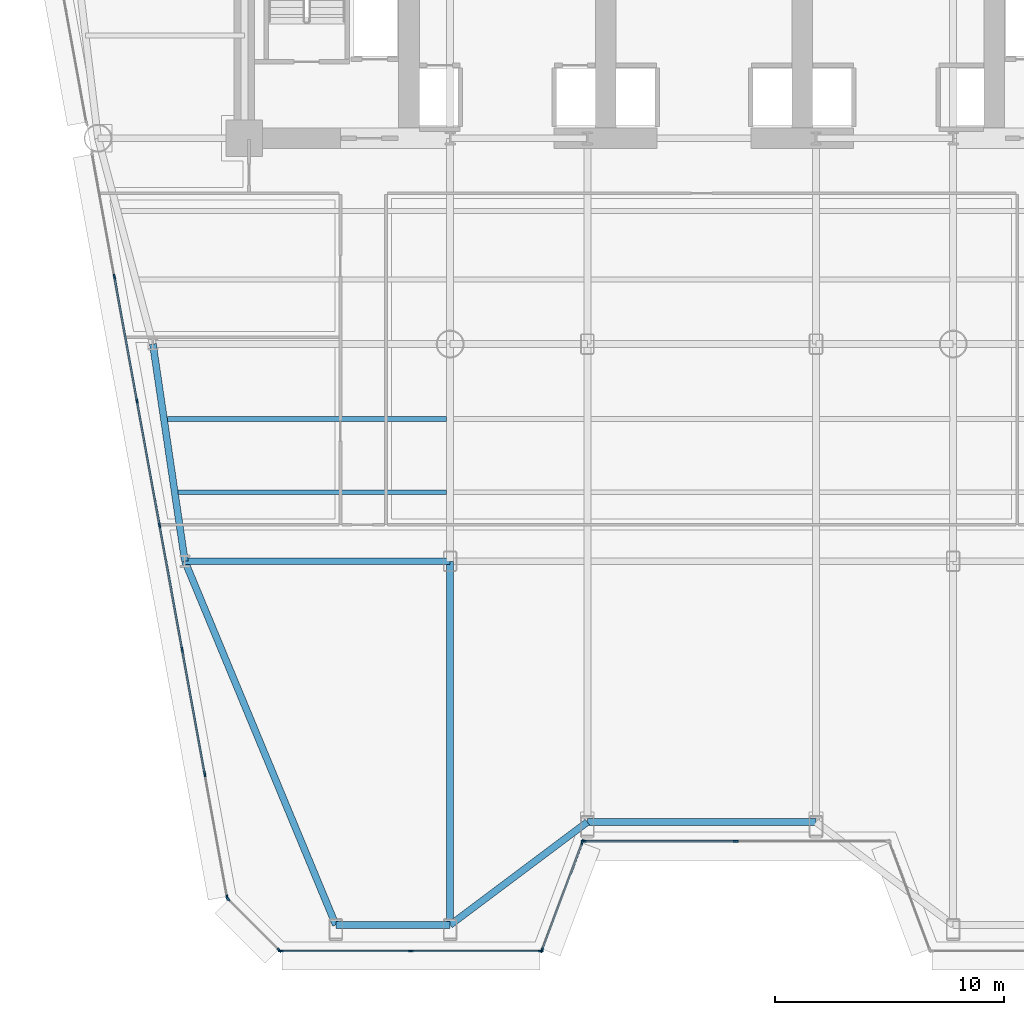
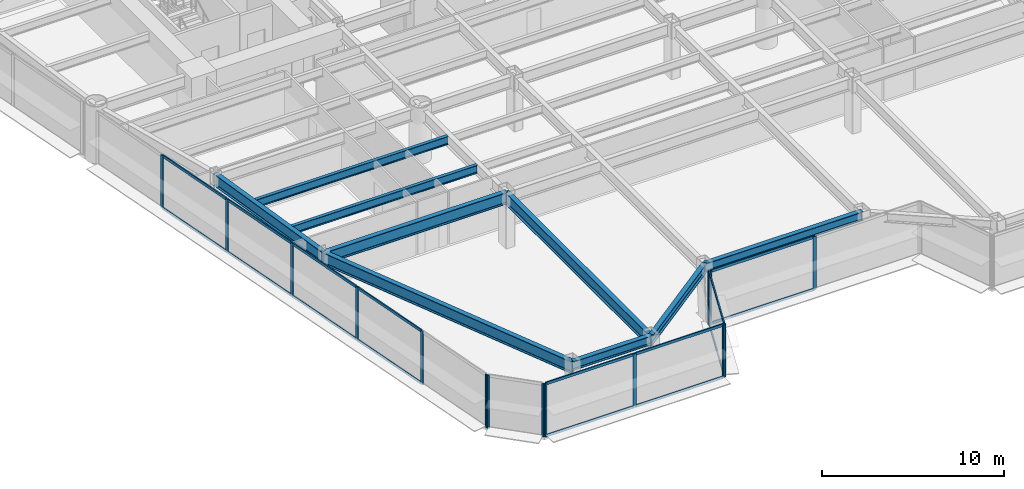
# One storey, part 2 of 14: 31 members, 9 beams, 5 elements without a shape of their own.
"""IFC4 building model written with IfcOpenShell, lengths in metres."""

from ifc_helpers import new_model, si_unit, direction, frame, origin, origin_2d, place, context, subcontext, project, spatial, rectangle, i_section, extrude, source, transform, mapped, material, layer, layer_set, material_profile, profile_set, type_object, element, aggregate, save


model = new_model("IFC4")

# Units and contexts
model_context = context("Model", 3, precision=1e-05, world=origin(), true_north=direction((0.0, 1.0)))
body_context = subcontext(model_context, "Body", "Model", "MODEL_VIEW")
ifc_project = project(units=[si_unit("LENGTHUNIT", "METRE"), si_unit("AREAUNIT", "SQUARE_METRE"), si_unit("VOLUMEUNIT", "CUBIC_METRE"), si_unit("PLANEANGLEUNIT", "RADIAN"), si_unit("MASSUNIT", "GRAM", prefix="KILO")], contexts=[model_context])

# Site, building, storey
site_placement = place(None, origin())
site = spatial("IfcSite", under=ifc_project, at=site_placement, CompositionType="ELEMENT")
building_placement = place(site_placement, origin())
building = spatial("IfcBuilding", under=site, at=building_placement, Name="Vaeldorn Concourse Tower", CompositionType="ELEMENT")
storey_placement = place(building_placement, frame((0.0, 0.0, 34.0)))
storey = spatial("IfcBuildingStorey", under=building, at=storey_placement, Name="L08", CompositionType="ELEMENT", Elevation=34.0)

# Beams
ifc_material_1 = material(Name="Steel S355", Category="steel")
ifc_material_profile_1 = material_profile(ifc_material_1, i_section(OverallWidth=0.300048828125, OverallDepth=0.60009765625, WebThickness=0.015380859375, FlangeThickness=0.030029296875, FilletRadius=0.027099609375, at=origin_2d()), Name="HEB 600")
ifc_profile_set_1 = profile_set([ifc_material_profile_1], Name="Steel S355")
beam_type_1 = type_object("IfcBeamType", Name="BM-SP-HEB600", PredefinedType="SPANDREL", material=ifc_profile_set_1)
shared_shape_1 = source(origin(), body_context, "Body", "SweptSolid", [
    extrude(i_section(OverallWidth=0.300048828125, OverallDepth=0.60009765625, WebThickness=0.015380859375, FlangeThickness=0.030029296875, FilletRadius=0.027099609375, at=origin_2d()), origin(), (0.0, 0.0, 1.0), 5.0),
])
beam_1_placement = place(storey_placement, frame((18.0, 2.095458984375, 3.280029296875), z_axis=(1.0, 0.0, 0.0), x_axis=(0.0, 1.0, 0.0)))
element("IfcBeam", 1, at=beam_1_placement, inside=storey, type_object=beam_type_1, Name="Beam BM-L08-C-SF1-C-SF2", PredefinedType="SPANDREL", context=body_context, shape_type="MappedRepresentation", body=[
    mapped(shared_shape_1, transform((0.0, 0.0, 0.0), scale=1.0)),
])
shared_shape_2 = source(origin(), body_context, "Body", "SweptSolid", [
    extrude(i_section(OverallWidth=0.300048828125, OverallDepth=0.60009765625, WebThickness=0.015380859375, FlangeThickness=0.030029296875, FilletRadius=0.027099609375, at=origin_2d()), origin(), (0.0, 0.0, 1.0), 7.5),
])
beam_2_placement = place(storey_placement, frame((23.0, 2.095458984375, 3.280029296875), z_axis=(0.8, 0.6, 0.0), x_axis=(-0.6, 0.8, 0.0)))
element("IfcBeam", 2, at=beam_2_placement, inside=storey, type_object=beam_type_1, Name="Beam BM-L08-C-SF2-C-SF3", PredefinedType="SPANDREL", context=body_context, shape_type="MappedRepresentation", body=[
    mapped(shared_shape_2, transform((0.0, 0.0, 0.0), scale=1.0)),
])
shared_shape_3 = source(origin(), body_context, "Body", "SweptSolid", [
    extrude(i_section(OverallWidth=0.300048828125, OverallDepth=0.60009765625, WebThickness=0.015380859375, FlangeThickness=0.030029296875, FilletRadius=0.027099609375, at=origin_2d()), origin(), (0.0, 0.0, 1.0), 10.0),
])
beam_3_placement = place(storey_placement, frame((29.0, 6.595458984375, 3.280029296875), z_axis=(1.0, 0.0, 0.0), x_axis=(0.0, 1.0, 0.0)))
element("IfcBeam", 3, at=beam_3_placement, inside=storey, type_object=beam_type_1, Name="Beam BM-L08-C-SF3-C-SF4", PredefinedType="SPANDREL", context=body_context, shape_type="MappedRepresentation", body=[
    mapped(shared_shape_3, transform((0.0, 0.0, 0.0), scale=1.0)),
])
ifc_material_profile_2 = material_profile(ifc_material_1, i_section(OverallWidth=0.300048828125, OverallDepth=0.800048828125, WebThickness=0.017578125, FlangeThickness=0.032958984375, FilletRadius=0.030029296875, at=origin_2d()), Name="HEB 800")
ifc_profile_set_2 = profile_set([ifc_material_profile_2], Name="Steel S355")
beam_type_2 = type_object("IfcBeamType", Name="BM-PG-HEB800", PredefinedType="BEAM", material=ifc_profile_set_2)
shared_shape_4 = source(origin(), body_context, "Body", "SweptSolid", [
    extrude(i_section(OverallWidth=0.300048828125, OverallDepth=0.800048828125, WebThickness=0.017578125, FlangeThickness=0.032958984375, FilletRadius=0.030029296875, at=origin_2d()), origin(), (0.0, 0.0, 1.0), 9.6025390625),
])
beam_4_placement = place(storey_placement, frame((10.0, 27.5, 3.179931640625), z_axis=(0.145783835977, -0.989316467652, 0.0), x_axis=(0.989316467652, 0.145783835977, 0.0)))
element("IfcBeam", 4, at=beam_4_placement, inside=storey, type_object=beam_type_2, Name="Beam BM-L08-C-FLW1-C-FLW2", PredefinedType="BEAM", context=body_context, shape_type="MappedRepresentation", body=[
    mapped(shared_shape_4, transform((0.0, 0.0, 0.0), scale=1.0)),
])
shared_shape_5 = source(origin(), body_context, "Body", "SweptSolid", [
    extrude(i_section(OverallWidth=0.300048828125, OverallDepth=0.800048828125, WebThickness=0.017578125, FlangeThickness=0.032958984375, FilletRadius=0.030029296875, at=origin_2d()), origin(), (0.0, 0.0, 1.0), 11.60009765625),
])
beam_5_placement = place(storey_placement, frame((11.39990234375, 18.0, 3.179931640625), z_axis=(1.0, 0.0, 0.0), x_axis=(0.0, 1.0, 0.0)))
element("IfcBeam", 5, at=beam_5_placement, inside=storey, type_object=beam_type_2, Name="Beam BM-L08-C-FLW2-C-TW5", PredefinedType="BEAM", context=body_context, shape_type="MappedRepresentation", body=[
    mapped(shared_shape_5, transform((0.0, 0.0, 0.0), scale=1.0)),
])
shared_shape_6 = source(origin(), body_context, "Body", "SweptSolid", [
    extrude(i_section(OverallWidth=0.300048828125, OverallDepth=0.800048828125, WebThickness=0.017578125, FlangeThickness=0.032958984375, FilletRadius=0.030029296875, at=origin_2d()), origin(), (0.0, 0.0, 1.0), 17.2197265625),
])
beam_6_placement = place(storey_placement, frame((18.0, 2.095458984375, 3.179931640625), z_axis=(-0.3832891314, 0.923628411078, 0.0), x_axis=(-0.923628411078, -0.3832891314, 0.0)))
element("IfcBeam", 6, at=beam_6_placement, inside=storey, type_object=beam_type_2, Name="Beam BM-L08-C-SF1-C-FLW2", PredefinedType="BEAM", context=body_context, shape_type="MappedRepresentation", body=[
    mapped(shared_shape_6, transform((0.0, 0.0, 0.0), scale=1.0)),
])
shared_shape_7 = source(origin(), body_context, "Body", "SweptSolid", [
    extrude(i_section(OverallWidth=0.300048828125, OverallDepth=0.800048828125, WebThickness=0.017578125, FlangeThickness=0.032958984375, FilletRadius=0.030029296875, at=origin_2d()), origin(), (0.0, 0.0, 1.0), 15.904541015625),
])
beam_7_placement = place(storey_placement, frame((23.0, 2.095458984375, 3.179931640625), z_axis=(0.0, 1.0, 0.0), x_axis=(-1.0, 0.0, 0.0)))
element("IfcBeam", 7, at=beam_7_placement, inside=storey, type_object=beam_type_2, Name="Beam BM-L08-C-SF2-C-TW5", PredefinedType="BEAM", context=body_context, shape_type="MappedRepresentation", body=[
    mapped(shared_shape_7, transform((0.0, 0.0, 0.0), scale=1.0)),
])
ifc_material_profile_3 = material_profile(ifc_material_1, i_section(OverallWidth=0.2099609375, OverallDepth=0.550048828125, WebThickness=0.010986328125, FlangeThickness=0.01708984375, FilletRadius=0.02392578125, at=origin_2d()), Name="IPE 550")
ifc_profile_set_3 = profile_set([ifc_material_profile_3], Name="Steel S355")
beam_type_3 = type_object("IfcBeamType", Name="BM-JS-IPE550", PredefinedType="JOIST", material=ifc_profile_set_3)
shared_shape_8 = source(origin(), body_context, "Body", "SweptSolid", [
    extrude(i_section(OverallWidth=0.2099609375, OverallDepth=0.550048828125, WebThickness=0.010986328125, FlangeThickness=0.01708984375, FilletRadius=0.02392578125, at=origin_2d()), origin(), (0.0, 0.0, 1.0), 11.7451171875),
])
beam_8_placement = place(storey_placement, frame((11.10498046875, 21.02001953125, 3.304931640625), z_axis=(1.0, 0.0, 0.0), x_axis=(0.0, 1.0, 0.0)))
element("IfcBeam", 8, at=beam_8_placement, inside=storey, type_object=beam_type_3, Name="Beam JS-L08-W1-210", PredefinedType="JOIST", context=body_context, shape_type="MappedRepresentation", body=[
    mapped(shared_shape_8, transform((0.0, 0.0, 0.0), scale=1.0)),
])
shared_shape_9 = source(origin(), body_context, "Body", "SweptSolid", [
    extrude(i_section(OverallWidth=0.2099609375, OverallDepth=0.550048828125, WebThickness=0.010986328125, FlangeThickness=0.01708984375, FilletRadius=0.02392578125, at=origin_2d()), origin(), (0.0, 0.0, 1.0), 12.216796875),
])
beam_9_placement = place(storey_placement, frame((10.63330078125, 24.219970703125, 3.304931640625), z_axis=(1.0, 0.0, 0.0), x_axis=(0.0, 1.0, 0.0)))
element("IfcBeam", 9, at=beam_9_placement, inside=storey, type_object=beam_type_3, Name="Beam JS-L08-W1-242", PredefinedType="JOIST", context=body_context, shape_type="MappedRepresentation", body=[
    mapped(shared_shape_9, transform((0.0, 0.0, 0.0), scale=1.0)),
])

# Curtain wall, members
ifc_material_2 = material(Name="Anodised Bronze Aluminium", Category="aluminium")
ifc_layer = layer(ifc_material_2, 0.219970703125)
ifc_layer_set = layer_set([ifc_layer], Name="Anodised Bronze Aluminium")
curtain_wall_type = type_object("IfcCurtainWallType", Name="CW-SYS-01", PredefinedType="NOTDEFINED", material=ifc_layer_set)
curtain_wall_1_placement = place(storey_placement, origin())
curtain_wall_1 = element("IfcCurtainWall", 10, at=curtain_wall_1_placement, inside=storey, type_object=curtain_wall_type, Name="Unitised Curtain Wall CW-L08-E02-1", PredefinedType="NOTDEFINED")
ifc_material_profile_4 = material_profile(ifc_material_2, rectangle(XDim=0.074951171875, YDim=0.179931640625, at=origin_2d()), Name="CWT 75x180")
ifc_profile_set_4 = profile_set([ifc_material_profile_4], Name="Anodised Bronze Aluminium")
member_type_1 = type_object("IfcMemberType", Name="CWT-BRONZE-180", PredefinedType="USERDEFINED", material=ifc_profile_set_4)
shared_shape_10 = source(origin(), body_context, "Body", "SweptSolid", [
    extrude(rectangle(XDim=0.074951171875, YDim=0.179931640625, at=origin_2d()), origin(), (0.0, 0.0, 1.0), 4.976318359375),
])
member_1_placement = place(storey_placement, frame((27.0263671875, 1.026611328125, 0.03759765625), z_axis=(0.351128818119, 0.936327161352, 0.0), x_axis=(-0.936327161352, 0.351128818119, 0.0)))
member_1 = element("IfcMember", 11, at=member_1_placement, type_object=member_type_1, Name="CW-01 transom 1.1", ObjectType="TRANSOM", PredefinedType="USERDEFINED", context=body_context, shape_type="MappedRepresentation", body=[
    mapped(shared_shape_10, transform((0.0, 0.0, 0.0), scale=1.0)),
])
member_2_placement = place(storey_placement, frame((27.0263671875, 1.026611328125, 3.54248046875), z_axis=(0.351128818119, 0.936327161352, 0.0), x_axis=(-0.936327161352, 0.351128818119, 0.0)))
member_2 = element("IfcMember", 12, at=member_2_placement, type_object=member_type_1, Name="CW-01 transom 1.2", ObjectType="TRANSOM", PredefinedType="USERDEFINED", context=body_context, shape_type="MappedRepresentation", body=[
    mapped(shared_shape_10, transform((0.0, 0.0, 0.0), scale=1.0)),
])

curtain_wall_2_placement = place(storey_placement, origin())
curtain_wall_2 = element("IfcCurtainWall", 13, at=curtain_wall_2_placement, inside=storey, type_object=curtain_wall_type, Name="Unitised Curtain Wall CW-L08-E03-1", PredefinedType="NOTDEFINED")
shared_shape_11 = source(origin(), body_context, "Body", "SweptSolid", [
    extrude(rectangle(XDim=0.074951171875, YDim=0.179931640625, at=origin_2d()), origin(), (0.0, 0.0, 1.0), 6.58740234375),
])
member_3_placement = place(storey_placement, frame((28.875, 5.75634765625, 0.03759765625), z_axis=(1.0, 0.0, 0.0), x_axis=(0.0, 1.0, 0.0)))
member_3 = element("IfcMember", 14, at=member_3_placement, type_object=member_type_1, Name="CW-01 transom 1.1", ObjectType="TRANSOM", PredefinedType="USERDEFINED", context=body_context, shape_type="MappedRepresentation", body=[
    mapped(shared_shape_11, transform((0.0, 0.0, 0.0), scale=1.0)),
])
member_4_placement = place(storey_placement, frame((28.875, 5.75634765625, 3.54248046875), z_axis=(1.0, 0.0, 0.0), x_axis=(0.0, 1.0, 0.0)))
member_4 = element("IfcMember", 15, at=member_4_placement, type_object=member_type_1, Name="CW-01 transom 1.2", ObjectType="TRANSOM", PredefinedType="USERDEFINED", context=body_context, shape_type="MappedRepresentation", body=[
    mapped(shared_shape_11, transform((0.0, 0.0, 0.0), scale=1.0)),
])

curtain_wall_3_placement = place(storey_placement, origin())
curtain_wall_3 = element("IfcCurtainWall", 16, at=curtain_wall_3_placement, inside=storey, type_object=curtain_wall_type, Name="Unitised Curtain Wall CW-L08-E01-1", PredefinedType="NOTDEFINED")
ifc_material_profile_5 = material_profile(ifc_material_2, rectangle(XDim=0.074951171875, YDim=0.219970703125, at=origin_2d()), Name="CWM 75x220")
ifc_profile_set_5 = profile_set([ifc_material_profile_5], Name="Anodised Bronze Aluminium")
member_type_2 = type_object("IfcMemberType", Name="CWM-BRONZE-220", PredefinedType="MULLION", material=ifc_profile_set_5)
shared_shape_12 = source(origin(), body_context, "Body", "SweptSolid", [
    extrude(rectangle(XDim=0.074951171875, YDim=0.219970703125, at=origin_2d()), origin(), (0.0, 0.0, 1.0), 3.580078125),
])
member_5_placement = place(storey_placement, frame((15.5947265625, 0.956298828125, 0.0), z_axis=(0.0, 0.0, 1.0), x_axis=(0.0, 1.0, 0.0)))
member_5 = element("IfcMember", 17, at=member_5_placement, type_object=member_type_2, Name="CW-01 mullion 1", PredefinedType="MULLION", context=body_context, shape_type="MappedRepresentation", body=[
    mapped(shared_shape_12, transform((0.0, 0.0, 0.0), scale=1.0)),
])
member_6_placement = place(storey_placement, frame((21.278564453125, 0.956298828125, 0.0), z_axis=(0.0, 0.0, 1.0), x_axis=(0.0, 1.0, 0.0)))
member_6 = element("IfcMember", 18, at=member_6_placement, type_object=member_type_2, Name="CW-01 mullion 2", PredefinedType="MULLION", context=body_context, shape_type="MappedRepresentation", body=[
    mapped(shared_shape_12, transform((0.0, 0.0, 0.0), scale=1.0)),
])
member_7_placement = place(storey_placement, frame((26.96240234375, 0.956298828125, 0.0), z_axis=(0.0, 0.0, 1.0), x_axis=(0.0, 1.0, 0.0)))
member_7 = element("IfcMember", 19, at=member_7_placement, type_object=member_type_2, Name="CW-01 mullion 3", PredefinedType="MULLION", context=body_context, shape_type="MappedRepresentation", body=[
    mapped(shared_shape_12, transform((0.0, 0.0, 0.0), scale=1.0)),
])

# Member
member_8_placement = place(storey_placement, frame((27.01318359375, 0.991455078125, 0.0), z_axis=(0.0, 0.0, 1.0), x_axis=(-0.936329177566, 0.351123441595, 0.0)))
member_8 = element("IfcMember", 20, at=member_8_placement, type_object=member_type_2, Name="CW-01 mullion 1", PredefinedType="MULLION", context=body_context, shape_type="MappedRepresentation", body=[
    mapped(shared_shape_12, transform((0.0, 0.0, 0.0), scale=1.0)),
])

member_9_placement = place(storey_placement, frame((28.786865234375, 5.72119140625, 0.0), z_axis=(0.0, 0.0, 1.0), x_axis=(-0.936329177566, 0.351123441595, 0.0)))
member_9 = element("IfcMember", 21, at=member_9_placement, type_object=member_type_2, Name="CW-01 mullion 2", PredefinedType="MULLION", context=body_context, shape_type="MappedRepresentation", body=[
    mapped(shared_shape_12, transform((0.0, 0.0, 0.0), scale=1.0)),
])

aggregate(curtain_wall_1, [member_8, member_9, member_1, member_2])

member_10_placement = place(storey_placement, frame((28.83740234375, 5.75634765625, 0.0), z_axis=(0.0, 0.0, 1.0), x_axis=(0.0, 1.0, 0.0)))
member_10 = element("IfcMember", 22, at=member_10_placement, type_object=member_type_2, Name="CW-01 mullion 1", PredefinedType="MULLION", context=body_context, shape_type="MappedRepresentation", body=[
    mapped(shared_shape_12, transform((0.0, 0.0, 0.0), scale=1.0)),
])

member_11_placement = place(storey_placement, frame((35.5, 5.75634765625, 0.0), z_axis=(0.0, 0.0, 1.0), x_axis=(0.0, 1.0, 0.0)))
member_11 = element("IfcMember", 23, at=member_11_placement, type_object=member_type_2, Name="CW-01 mullion 2", PredefinedType="MULLION", context=body_context, shape_type="MappedRepresentation", body=[
    mapped(shared_shape_12, transform((0.0, 0.0, 0.0), scale=1.0)),
])

aggregate(curtain_wall_2, [member_10, member_11, member_3, member_4])

# Curtain wall, members
curtain_wall_4_placement = place(storey_placement, origin())
curtain_wall_4 = element("IfcCurtainWall", 24, at=curtain_wall_4_placement, inside=storey, type_object=curtain_wall_type, Name="Unitised Curtain Wall CW-L08-E11-2", PredefinedType="NOTDEFINED")
member_12_placement = place(storey_placement, frame((8.3173828125, 30.443115234375, 0.0), z_axis=(0.0, 0.0, 1.0), x_axis=(0.983889929037, 0.17877529902, 0.0)))
member_12 = element("IfcMember", 25, at=member_12_placement, type_object=member_type_2, Name="CW-01 mullion 2", PredefinedType="MULLION", context=body_context, shape_type="MappedRepresentation", body=[
    mapped(shared_shape_12, transform((0.0, 0.0, 0.0), scale=1.0)),
])
member_13_placement = place(storey_placement, frame((9.30517578125, 25.005859375, 0.0), z_axis=(0.0, 0.0, 1.0), x_axis=(0.983889929037, 0.17877529902, 0.0)))
member_13 = element("IfcMember", 26, at=member_13_placement, type_object=member_type_2, Name="CW-01 mullion 3", PredefinedType="MULLION", context=body_context, shape_type="MappedRepresentation", body=[
    mapped(shared_shape_12, transform((0.0, 0.0, 0.0), scale=1.0)),
])
member_14_placement = place(storey_placement, frame((10.293212890625, 19.568359375, 0.0), z_axis=(0.0, 0.0, 1.0), x_axis=(0.983889929037, 0.17877529902, 0.0)))
member_14 = element("IfcMember", 27, at=member_14_placement, type_object=member_type_2, Name="CW-01 mullion 4", PredefinedType="MULLION", context=body_context, shape_type="MappedRepresentation", body=[
    mapped(shared_shape_12, transform((0.0, 0.0, 0.0), scale=1.0)),
])
member_15_placement = place(storey_placement, frame((11.28125, 14.131103515625, 0.0), z_axis=(0.0, 0.0, 1.0), x_axis=(0.983889929037, 0.17877529902, 0.0)))
member_15 = element("IfcMember", 28, at=member_15_placement, type_object=member_type_2, Name="CW-01 mullion 5", PredefinedType="MULLION", context=body_context, shape_type="MappedRepresentation", body=[
    mapped(shared_shape_12, transform((0.0, 0.0, 0.0), scale=1.0)),
])
member_16_placement = place(storey_placement, frame((12.269287109375, 8.693603515625, 0.0), z_axis=(0.0, 0.0, 1.0), x_axis=(0.983889929037, 0.17877529902, 0.0)))
member_16 = element("IfcMember", 29, at=member_16_placement, type_object=member_type_2, Name="CW-01 mullion 6", PredefinedType="MULLION", context=body_context, shape_type="MappedRepresentation", body=[
    mapped(shared_shape_12, transform((0.0, 0.0, 0.0), scale=1.0)),
])
member_17_placement = place(storey_placement, frame((13.25048828125, 3.293212890625, 0.0), z_axis=(0.0, 0.0, 1.0), x_axis=(0.983889929037, 0.17877529902, 0.0)))
member_17 = element("IfcMember", 30, at=member_17_placement, type_object=member_type_2, Name="CW-01 mullion 7", PredefinedType="MULLION", context=body_context, shape_type="MappedRepresentation", body=[
    mapped(shared_shape_12, transform((0.0, 0.0, 0.0), scale=1.0)),
])

curtain_wall_5_placement = place(storey_placement, origin())
curtain_wall_5 = element("IfcCurtainWall", 31, at=curtain_wall_5_placement, inside=storey, type_object=curtain_wall_type, Name="Unitised Curtain Wall CW-L08-E12-1", PredefinedType="NOTDEFINED")
member_18_placement = place(storey_placement, frame((13.28369140625, 3.229736328125, 0.0), z_axis=(0.0, 0.0, 1.0), x_axis=(0.707106781187, 0.707106781187, 0.0)))
member_18 = element("IfcMember", 32, at=member_18_placement, type_object=member_type_2, Name="CW-01 mullion 1", PredefinedType="MULLION", context=body_context, shape_type="MappedRepresentation", body=[
    mapped(shared_shape_12, transform((0.0, 0.0, 0.0), scale=1.0)),
])
member_19_placement = place(storey_placement, frame((15.53076171875, 0.98291015625, 0.0), z_axis=(0.0, 0.0, 1.0), x_axis=(0.707106781187, 0.707106781187, 0.0)))
member_19 = element("IfcMember", 33, at=member_19_placement, type_object=member_type_2, Name="CW-01 mullion 2", PredefinedType="MULLION", context=body_context, shape_type="MappedRepresentation", body=[
    mapped(shared_shape_12, transform((0.0, 0.0, 0.0), scale=1.0)),
])
aggregate(curtain_wall_5, [member_18, member_19])

# Member
shared_shape_13 = source(origin(), body_context, "Body", "SweptSolid", [
    extrude(rectangle(XDim=0.074951171875, YDim=0.179931640625, at=origin_2d()), origin(), (0.0, 0.0, 1.0), 5.609130859375),
])
member_20_placement = place(storey_placement, frame((15.632080078125, 0.956298828125, 0.03759765625), z_axis=(1.0, 0.0, 0.0), x_axis=(0.0, 1.0, 0.0)))
member_20 = element("IfcMember", 34, at=member_20_placement, type_object=member_type_1, Name="CW-01 transom 1.1", ObjectType="TRANSOM", PredefinedType="USERDEFINED", context=body_context, shape_type="MappedRepresentation", body=[
    mapped(shared_shape_13, transform((0.0, 0.0, 0.0), scale=1.0)),
])

member_21_placement = place(storey_placement, frame((15.632080078125, 0.956298828125, 3.54248046875), z_axis=(1.0, 0.0, 0.0), x_axis=(0.0, 1.0, 0.0)))
member_21 = element("IfcMember", 35, at=member_21_placement, type_object=member_type_1, Name="CW-01 transom 1.2", ObjectType="TRANSOM", PredefinedType="USERDEFINED", context=body_context, shape_type="MappedRepresentation", body=[
    mapped(shared_shape_13, transform((0.0, 0.0, 0.0), scale=1.0)),
])

shared_shape_14 = source(origin(), body_context, "Body", "SweptSolid", [
    extrude(rectangle(XDim=0.074951171875, YDim=0.179931640625, at=origin_2d()), origin(), (0.0, 0.0, 1.0), 5.60888671875),
])
member_22_placement = place(storey_placement, frame((21.316162109375, 0.956298828125, 0.03759765625), z_axis=(1.0, 0.0, 0.0), x_axis=(0.0, 1.0, 0.0)))
member_22 = element("IfcMember", 36, at=member_22_placement, type_object=member_type_1, Name="CW-01 transom 2.1", ObjectType="TRANSOM", PredefinedType="USERDEFINED", context=body_context, shape_type="MappedRepresentation", body=[
    mapped(shared_shape_14, transform((0.0, 0.0, 0.0), scale=1.0)),
])

member_23_placement = place(storey_placement, frame((21.316162109375, 0.956298828125, 3.54248046875), z_axis=(1.0, 0.0, 0.0), x_axis=(0.0, 1.0, 0.0)))
member_23 = element("IfcMember", 37, at=member_23_placement, type_object=member_type_1, Name="CW-01 transom 2.2", ObjectType="TRANSOM", PredefinedType="USERDEFINED", context=body_context, shape_type="MappedRepresentation", body=[
    mapped(shared_shape_14, transform((0.0, 0.0, 0.0), scale=1.0)),
])

aggregate(curtain_wall_3, [member_5, member_6, member_7, member_20, member_21, member_22, member_23])

shared_shape_15 = source(origin(), body_context, "Body", "SweptSolid", [
    extrude(rectangle(XDim=0.074951171875, YDim=0.179931640625, at=origin_2d()), origin(), (0.0, 0.0, 1.0), 5.45166015625),
])
member_24_placement = place(storey_placement, frame((11.287841796875, 14.09423828125, 0.03759765625), z_axis=(0.178775090927, -0.983889966848, 0.0), x_axis=(0.983889966848, 0.178775090927, 0.0)))
member_24 = element("IfcMember", 38, at=member_24_placement, type_object=member_type_1, Name="CW-01 transom 5.1", ObjectType="TRANSOM", PredefinedType="USERDEFINED", context=body_context, shape_type="MappedRepresentation", body=[
    mapped(shared_shape_15, transform((0.0, 0.0, 0.0), scale=1.0)),
])

member_25_placement = place(storey_placement, frame((11.287841796875, 14.09423828125, 3.54248046875), z_axis=(0.178775090927, -0.983889966848, 0.0), x_axis=(0.983889966848, 0.178775090927, 0.0)))
member_25 = element("IfcMember", 39, at=member_25_placement, type_object=member_type_1, Name="CW-01 transom 5.2", ObjectType="TRANSOM", PredefinedType="USERDEFINED", context=body_context, shape_type="MappedRepresentation", body=[
    mapped(shared_shape_15, transform((0.0, 0.0, 0.0), scale=1.0)),
])

shared_shape_16 = source(origin(), body_context, "Body", "SweptSolid", [
    extrude(rectangle(XDim=0.074951171875, YDim=0.179931640625, at=origin_2d()), origin(), (0.0, 0.0, 1.0), 5.451416015625),
])
member_26_placement = place(storey_placement, frame((8.323974609375, 30.40625, 0.03759765625), z_axis=(0.178782968434, -0.983888535454, 0.0), x_axis=(0.983888535454, 0.178782968434, 0.0)))
member_26 = element("IfcMember", 40, at=member_26_placement, type_object=member_type_1, Name="CW-01 transom 2.1", ObjectType="TRANSOM", PredefinedType="USERDEFINED", context=body_context, shape_type="MappedRepresentation", body=[
    mapped(shared_shape_16, transform((0.0, 0.0, 0.0), scale=1.0)),
])

member_27_placement = place(storey_placement, frame((8.323974609375, 30.40625, 3.54248046875), z_axis=(0.178782968434, -0.983888535454, 0.0), x_axis=(0.983888535454, 0.178782968434, 0.0)))
member_27 = element("IfcMember", 41, at=member_27_placement, type_object=member_type_1, Name="CW-01 transom 2.2", ObjectType="TRANSOM", PredefinedType="USERDEFINED", context=body_context, shape_type="MappedRepresentation", body=[
    mapped(shared_shape_16, transform((0.0, 0.0, 0.0), scale=1.0)),
])

member_28_placement = place(storey_placement, frame((9.31201171875, 24.96875, 0.03759765625), z_axis=(0.178782968434, -0.983888535454, 0.0), x_axis=(0.983888535454, 0.178782968434, 0.0)))
member_28 = element("IfcMember", 42, at=member_28_placement, type_object=member_type_1, Name="CW-01 transom 3.1", ObjectType="TRANSOM", PredefinedType="USERDEFINED", context=body_context, shape_type="MappedRepresentation", body=[
    mapped(shared_shape_16, transform((0.0, 0.0, 0.0), scale=1.0)),
])

member_29_placement = place(storey_placement, frame((9.31201171875, 24.96875, 3.54248046875), z_axis=(0.178782968434, -0.983888535454, 0.0), x_axis=(0.983888535454, 0.178782968434, 0.0)))
member_29 = element("IfcMember", 43, at=member_29_placement, type_object=member_type_1, Name="CW-01 transom 3.2", ObjectType="TRANSOM", PredefinedType="USERDEFINED", context=body_context, shape_type="MappedRepresentation", body=[
    mapped(shared_shape_16, transform((0.0, 0.0, 0.0), scale=1.0)),
])

member_30_placement = place(storey_placement, frame((10.300048828125, 19.531494140625, 0.03759765625), z_axis=(0.178739614089, -0.983896412411, 0.0), x_axis=(0.983896412411, 0.178739614089, 0.0)))
member_30 = element("IfcMember", 44, at=member_30_placement, type_object=member_type_1, Name="CW-01 transom 4.1", ObjectType="TRANSOM", PredefinedType="USERDEFINED", context=body_context, shape_type="MappedRepresentation", body=[
    mapped(shared_shape_16, transform((0.0, 0.0, 0.0), scale=1.0)),
])

member_31_placement = place(storey_placement, frame((10.300048828125, 19.531494140625, 3.54248046875), z_axis=(0.178739614089, -0.983896412411, 0.0), x_axis=(0.983896412411, 0.178739614089, 0.0)))
member_31 = element("IfcMember", 45, at=member_31_placement, type_object=member_type_1, Name="CW-01 transom 4.2", ObjectType="TRANSOM", PredefinedType="USERDEFINED", context=body_context, shape_type="MappedRepresentation", body=[
    mapped(shared_shape_16, transform((0.0, 0.0, 0.0), scale=1.0)),
])

aggregate(curtain_wall_4, [member_12, member_13, member_14, member_15, member_16, member_17, member_26, member_27, member_28, member_29, member_30, member_31, member_24, member_25])

save(model, "model.ifc")
